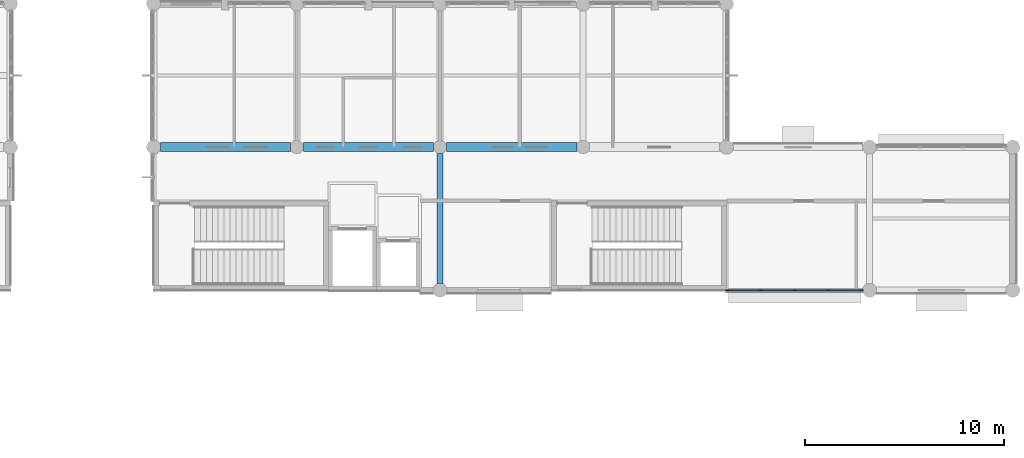
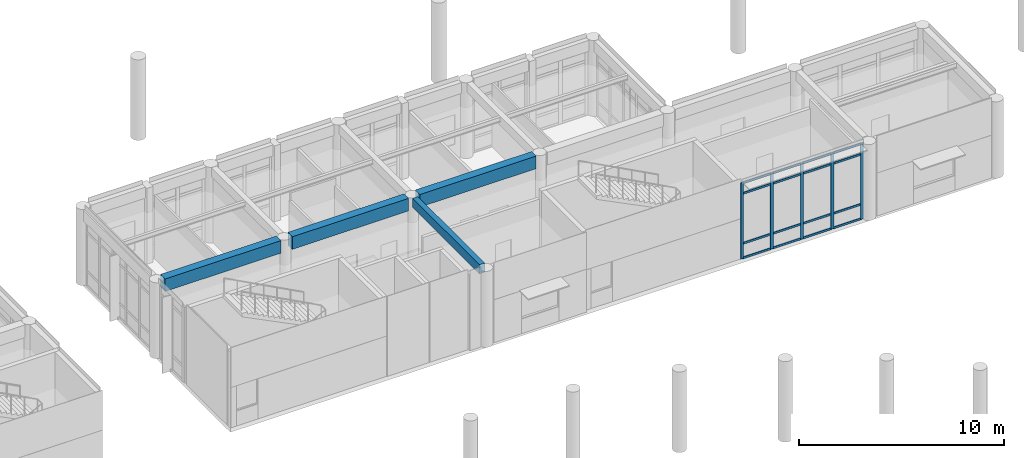
# One storey, part 24 of 92: 21 members, 4 beams, 1 element without a shape of its own.
"""IFC4 building model written with IfcOpenShell, lengths in metres."""

from ifc_helpers import new_model, si_unit, direction, frame, origin, origin_2d, place, context, subcontext, project, spatial, rectangle, extrude, material, layer, layer_set, material_profile, profile_set, type_object, element, aggregate, save


model = new_model("IFC4")

# Units and contexts
model_context = context("Model", 3, precision=1e-05, world=origin(), true_north=direction((0.0, 1.0)))
body_context = subcontext(model_context, "Body", "Model", "MODEL_VIEW")
ifc_project = project(units=[si_unit("LENGTHUNIT", "METRE"), si_unit("AREAUNIT", "SQUARE_METRE"), si_unit("VOLUMEUNIT", "CUBIC_METRE"), si_unit("PLANEANGLEUNIT", "RADIAN"), si_unit("MASSUNIT", "GRAM", prefix="KILO")], contexts=[model_context])

# Site, building, storey
site_placement = place(None, origin())
site = spatial("IfcSite", under=ifc_project, at=site_placement, CompositionType="ELEMENT")
building_placement = place(site_placement, origin())
building = spatial("IfcBuilding", under=site, at=building_placement, Name="Namkhue Oval Health Centre", CompositionType="ELEMENT")
storey_placement = place(building_placement, frame((0.0, 0.0, 4.800048828125)))
storey = spatial("IfcBuildingStorey", under=building, at=storey_placement, Name="L01", CompositionType="ELEMENT", Elevation=4.800048828125)

# Curtain wall, members
ifc_material_1 = material(Name="Anodised aluminium EN AW-6063 T6", Category="aluminium")
ifc_layer = layer(ifc_material_1, 0.159912109375)
ifc_layer_set = layer_set([ifc_layer], Name="Anodised aluminium EN AW-6063 T6")
curtain_wall_type = type_object("IfcCurtainWallType", Name="UNITISED CURTAIN WALL M1800", PredefinedType="NOTDEFINED", material=ifc_layer_set)
curtain_wall_placement = place(storey_placement, origin())
curtain_wall = element("IfcCurtainWall", 1, at=curtain_wall_placement, inside=storey, type_object=curtain_wall_type, Name="Volume V3 L01 Unitised Curtain Wall 101", PredefinedType="NOTDEFINED")
ifc_material_profile_1 = material_profile(ifc_material_1, rectangle(XDim=0.06494140625, YDim=0.159912109375, at=origin_2d()), Name="ALU 65x160")
ifc_profile_set_1 = profile_set([ifc_material_profile_1], Name="Anodised aluminium EN AW-6063 T6")
member_type_1 = type_object("IfcMemberType", Name="CURTAIN WALL MULLION 65X160", PredefinedType="MULLION", material=ifc_profile_set_1)
member_1_placement = place(storey_placement, frame((122.449462890625, 90.0, 0.0), z_axis=(0.0, 0.0, 1.0), x_axis=(0.0, 1.0, 0.0)))
member_1 = element("IfcMember", 2, at=member_1_placement, type_object=member_type_1, Name="CW-05 mullion 1", PredefinedType="MULLION", context=body_context, shape_type="SweptSolid", body=[
    extrude(rectangle(XDim=0.06494140625, YDim=0.159912109375, at=origin_2d()), origin(), (0.0, 0.0, 1.0), 4.530029296875),
])
member_2_placement = place(storey_placement, frame((124.122802734375, 90.0, 0.0), z_axis=(0.0, 0.0, 1.0), x_axis=(0.0, 1.0, 0.0)))
member_2 = element("IfcMember", 3, at=member_2_placement, type_object=member_type_1, Name="CW-05 mullion 2", PredefinedType="MULLION", context=body_context, shape_type="SweptSolid", body=[
    extrude(rectangle(XDim=0.06494140625, YDim=0.159912109375, at=origin_2d()), origin(), (0.0, 0.0, 1.0), 4.530029296875),
])
member_3_placement = place(storey_placement, frame((125.82861328125, 90.0, 0.0), z_axis=(0.0, 0.0, 1.0), x_axis=(0.0, 1.0, 0.0)))
member_3 = element("IfcMember", 4, at=member_3_placement, type_object=member_type_1, Name="CW-05 mullion 3", PredefinedType="MULLION", context=body_context, shape_type="SweptSolid", body=[
    extrude(rectangle(XDim=0.06494140625, YDim=0.159912109375, at=origin_2d()), origin(), (0.0, 0.0, 1.0), 4.530029296875),
])
member_4_placement = place(storey_placement, frame((127.5341796875, 90.0, 0.0), z_axis=(0.0, 0.0, 1.0), x_axis=(0.0, 1.0, 0.0)))
member_4 = element("IfcMember", 5, at=member_4_placement, type_object=member_type_1, Name="CW-05 mullion 4", PredefinedType="MULLION", context=body_context, shape_type="SweptSolid", body=[
    extrude(rectangle(XDim=0.06494140625, YDim=0.159912109375, at=origin_2d()), origin(), (0.0, 0.0, 1.0), 4.530029296875),
])
member_5_placement = place(storey_placement, frame((129.20751953125, 90.0, 0.0), z_axis=(0.0, 0.0, 1.0), x_axis=(0.0, 1.0, 0.0)))
member_5 = element("IfcMember", 6, at=member_5_placement, type_object=member_type_1, Name="CW-05 mullion 5", PredefinedType="MULLION", context=body_context, shape_type="SweptSolid", body=[
    extrude(rectangle(XDim=0.06494140625, YDim=0.159912109375, at=origin_2d()), origin(), (0.0, 0.0, 1.0), 4.530029296875),
])
ifc_material_profile_2 = material_profile(ifc_material_1, rectangle(XDim=0.06494140625, YDim=0.1201171875, at=origin_2d()), Name="ALU 65x120")
ifc_profile_set_2 = profile_set([ifc_material_profile_2], Name="Anodised aluminium EN AW-6063 T6")
member_type_2 = type_object("IfcMemberType", Name="CURTAIN WALL TRANSOM 65X120", PredefinedType="USERDEFINED", material=ifc_profile_set_2)
member_6_placement = place(storey_placement, frame((122.48193359375, 90.0, 0.032470703125), z_axis=(1.0, 0.0, 0.0), x_axis=(0.0, 1.0, 0.0)))
member_6 = element("IfcMember", 7, at=member_6_placement, type_object=member_type_2, Name="CW-05 transom 1.1", ObjectType="TRANSOM", PredefinedType="USERDEFINED", context=body_context, shape_type="SweptSolid", body=[
    extrude(rectangle(XDim=0.06494140625, YDim=0.1201171875, at=origin_2d()), origin(), (0.0, 0.0, 1.0), 1.6083984375),
])
member_7_placement = place(storey_placement, frame((122.48193359375, 90.0, 0.89990234375), z_axis=(1.0, 0.0, 0.0), x_axis=(0.0, 1.0, 0.0)))
member_7 = element("IfcMember", 8, at=member_7_placement, type_object=member_type_2, Name="CW-05 transom 1.2", ObjectType="TRANSOM", PredefinedType="USERDEFINED", context=body_context, shape_type="SweptSolid", body=[
    extrude(rectangle(XDim=0.06494140625, YDim=0.1201171875, at=origin_2d()), origin(), (0.0, 0.0, 1.0), 1.6083984375),
])
member_8_placement = place(storey_placement, frame((122.48193359375, 90.0, 3.8798828125), z_axis=(1.0, 0.0, 0.0), x_axis=(0.0, 1.0, 0.0)))
member_8 = element("IfcMember", 9, at=member_8_placement, type_object=member_type_2, Name="CW-05 transom 1.3", ObjectType="TRANSOM", PredefinedType="USERDEFINED", context=body_context, shape_type="SweptSolid", body=[
    extrude(rectangle(XDim=0.06494140625, YDim=0.1201171875, at=origin_2d()), origin(), (0.0, 0.0, 1.0), 1.6083984375),
])
member_9_placement = place(storey_placement, frame((122.48193359375, 90.0, 4.49755859375), z_axis=(1.0, 0.0, 0.0), x_axis=(0.0, 1.0, 0.0)))
member_9 = element("IfcMember", 10, at=member_9_placement, type_object=member_type_2, Name="CW-05 transom 1.4", ObjectType="TRANSOM", PredefinedType="USERDEFINED", context=body_context, shape_type="SweptSolid", body=[
    extrude(rectangle(XDim=0.06494140625, YDim=0.1201171875, at=origin_2d()), origin(), (0.0, 0.0, 1.0), 1.6083984375),
])
member_10_placement = place(storey_placement, frame((124.1552734375, 90.0, 0.032470703125), z_axis=(1.0, 0.0, 0.0), x_axis=(0.0, 1.0, 0.0)))
member_10 = element("IfcMember", 11, at=member_10_placement, type_object=member_type_2, Name="CW-05 transom 2.1", ObjectType="TRANSOM", PredefinedType="USERDEFINED", context=body_context, shape_type="SweptSolid", body=[
    extrude(rectangle(XDim=0.06494140625, YDim=0.1201171875, at=origin_2d()), origin(), (0.0, 0.0, 1.0), 1.640625),
])
member_11_placement = place(storey_placement, frame((124.1552734375, 90.0, 0.89990234375), z_axis=(1.0, 0.0, 0.0), x_axis=(0.0, 1.0, 0.0)))
member_11 = element("IfcMember", 12, at=member_11_placement, type_object=member_type_2, Name="CW-05 transom 2.2", ObjectType="TRANSOM", PredefinedType="USERDEFINED", context=body_context, shape_type="SweptSolid", body=[
    extrude(rectangle(XDim=0.06494140625, YDim=0.1201171875, at=origin_2d()), origin(), (0.0, 0.0, 1.0), 1.640625),
])
member_12_placement = place(storey_placement, frame((124.1552734375, 90.0, 3.8798828125), z_axis=(1.0, 0.0, 0.0), x_axis=(0.0, 1.0, 0.0)))
member_12 = element("IfcMember", 13, at=member_12_placement, type_object=member_type_2, Name="CW-05 transom 2.3", ObjectType="TRANSOM", PredefinedType="USERDEFINED", context=body_context, shape_type="SweptSolid", body=[
    extrude(rectangle(XDim=0.06494140625, YDim=0.1201171875, at=origin_2d()), origin(), (0.0, 0.0, 1.0), 1.640625),
])
member_13_placement = place(storey_placement, frame((124.1552734375, 90.0, 4.49755859375), z_axis=(1.0, 0.0, 0.0), x_axis=(0.0, 1.0, 0.0)))
member_13 = element("IfcMember", 14, at=member_13_placement, type_object=member_type_2, Name="CW-05 transom 2.4", ObjectType="TRANSOM", PredefinedType="USERDEFINED", context=body_context, shape_type="SweptSolid", body=[
    extrude(rectangle(XDim=0.06494140625, YDim=0.1201171875, at=origin_2d()), origin(), (0.0, 0.0, 1.0), 1.640625),
])
member_14_placement = place(storey_placement, frame((125.861083984375, 90.0, 0.032470703125), z_axis=(1.0, 0.0, 0.0), x_axis=(0.0, 1.0, 0.0)))
member_14 = element("IfcMember", 15, at=member_14_placement, type_object=member_type_2, Name="CW-05 transom 3.1", ObjectType="TRANSOM", PredefinedType="USERDEFINED", context=body_context, shape_type="SweptSolid", body=[
    extrude(rectangle(XDim=0.06494140625, YDim=0.1201171875, at=origin_2d()), origin(), (0.0, 0.0, 1.0), 1.640625),
])
member_15_placement = place(storey_placement, frame((125.861083984375, 90.0, 0.89990234375), z_axis=(1.0, 0.0, 0.0), x_axis=(0.0, 1.0, 0.0)))
member_15 = element("IfcMember", 16, at=member_15_placement, type_object=member_type_2, Name="CW-05 transom 3.2", ObjectType="TRANSOM", PredefinedType="USERDEFINED", context=body_context, shape_type="SweptSolid", body=[
    extrude(rectangle(XDim=0.06494140625, YDim=0.1201171875, at=origin_2d()), origin(), (0.0, 0.0, 1.0), 1.640625),
])
member_16_placement = place(storey_placement, frame((125.861083984375, 90.0, 3.8798828125), z_axis=(1.0, 0.0, 0.0), x_axis=(0.0, 1.0, 0.0)))
member_16 = element("IfcMember", 17, at=member_16_placement, type_object=member_type_2, Name="CW-05 transom 3.3", ObjectType="TRANSOM", PredefinedType="USERDEFINED", context=body_context, shape_type="SweptSolid", body=[
    extrude(rectangle(XDim=0.06494140625, YDim=0.1201171875, at=origin_2d()), origin(), (0.0, 0.0, 1.0), 1.640625),
])
member_17_placement = place(storey_placement, frame((125.861083984375, 90.0, 4.49755859375), z_axis=(1.0, 0.0, 0.0), x_axis=(0.0, 1.0, 0.0)))
member_17 = element("IfcMember", 18, at=member_17_placement, type_object=member_type_2, Name="CW-05 transom 3.4", ObjectType="TRANSOM", PredefinedType="USERDEFINED", context=body_context, shape_type="SweptSolid", body=[
    extrude(rectangle(XDim=0.06494140625, YDim=0.1201171875, at=origin_2d()), origin(), (0.0, 0.0, 1.0), 1.640625),
])
member_18_placement = place(storey_placement, frame((127.566650390625, 90.0, 0.032470703125), z_axis=(1.0, 0.0, 0.0), x_axis=(0.0, 1.0, 0.0)))
member_18 = element("IfcMember", 19, at=member_18_placement, type_object=member_type_2, Name="CW-05 transom 4.1", ObjectType="TRANSOM", PredefinedType="USERDEFINED", context=body_context, shape_type="SweptSolid", body=[
    extrude(rectangle(XDim=0.06494140625, YDim=0.1201171875, at=origin_2d()), origin(), (0.0, 0.0, 1.0), 1.6083984375),
])
member_19_placement = place(storey_placement, frame((127.566650390625, 90.0, 0.89990234375), z_axis=(1.0, 0.0, 0.0), x_axis=(0.0, 1.0, 0.0)))
member_19 = element("IfcMember", 20, at=member_19_placement, type_object=member_type_2, Name="CW-05 transom 4.2", ObjectType="TRANSOM", PredefinedType="USERDEFINED", context=body_context, shape_type="SweptSolid", body=[
    extrude(rectangle(XDim=0.06494140625, YDim=0.1201171875, at=origin_2d()), origin(), (0.0, 0.0, 1.0), 1.6083984375),
])
member_20_placement = place(storey_placement, frame((127.566650390625, 90.0, 3.8798828125), z_axis=(1.0, 0.0, 0.0), x_axis=(0.0, 1.0, 0.0)))
member_20 = element("IfcMember", 21, at=member_20_placement, type_object=member_type_2, Name="CW-05 transom 4.3", ObjectType="TRANSOM", PredefinedType="USERDEFINED", context=body_context, shape_type="SweptSolid", body=[
    extrude(rectangle(XDim=0.06494140625, YDim=0.1201171875, at=origin_2d()), origin(), (0.0, 0.0, 1.0), 1.6083984375),
])
member_21_placement = place(storey_placement, frame((127.566650390625, 90.0, 4.49755859375), z_axis=(1.0, 0.0, 0.0), x_axis=(0.0, 1.0, 0.0)))
member_21 = element("IfcMember", 22, at=member_21_placement, type_object=member_type_2, Name="CW-05 transom 4.4", ObjectType="TRANSOM", PredefinedType="USERDEFINED", context=body_context, shape_type="SweptSolid", body=[
    extrude(rectangle(XDim=0.06494140625, YDim=0.1201171875, at=origin_2d()), origin(), (0.0, 0.0, 1.0), 1.6083984375),
])
aggregate(curtain_wall, [member_1, member_2, member_3, member_4, member_5, member_6, member_7, member_8, member_9, member_10, member_11, member_12, member_13, member_14, member_15, member_16, member_17, member_18, member_19, member_20, member_21])

# Beams
ifc_material_2 = material(Name="Reinforced concrete C30/37 (TCVN B35)", Category="concrete")
ifc_material_profile_3 = material_profile(ifc_material_2, rectangle(XDim=0.300048828125, YDim=0.550048828125, at=origin_2d()), Name="RC 300x550")
ifc_profile_set_3 = profile_set([ifc_material_profile_3], Name="Reinforced concrete C30/37 (TCVN B35)")
beam_type_1 = type_object("IfcBeamType", Name="FLOOR BEAM RC 300X550", PredefinedType="BEAM", material=ifc_profile_set_3)
beam_1_placement = place(storey_placement, frame((108.0, 90.35009765625, 4.2548828125), z_axis=(0.0, 1.0, 0.0), x_axis=(-1.0, 0.0, 0.0)))
element("IfcBeam", 23, at=beam_1_placement, inside=storey, type_object=beam_type_1, Name="Volume V3 L02 Beam 16/N-O", PredefinedType="BEAM", context=body_context, shape_type="SweptSolid", body=[
    extrude(rectangle(XDim=0.300048828125, YDim=0.550048828125, at=origin_2d()), origin(), (0.0, 0.0, 1.0), 6.52490234375),
])
ifc_material_3 = material(Name="Reinforced concrete C35/45 (TCVN B40)", Category="concrete")
ifc_material_profile_4 = material_profile(ifc_material_3, rectangle(XDim=0.449951171875, YDim=0.75, at=origin_2d()), Name="RC 450x750")
ifc_profile_set_4 = profile_set([ifc_material_profile_4], Name="Reinforced concrete C35/45 (TCVN B40)")
beam_type_2 = type_object("IfcBeamType", Name="PRIMARY GIRDER RC 450X750", PredefinedType="USERDEFINED", material=ifc_profile_set_4)
beam_2_placement = place(storey_placement, frame((93.949951171875, 97.199951171875, 4.155029296875), z_axis=(1.0, 0.0, 0.0), x_axis=(0.0, 1.0, 0.0)))
element("IfcBeam", 24, at=beam_2_placement, inside=storey, type_object=beam_type_2, Name="Volume V3 L02 Girder O/14-15", ObjectType="GIRDER", PredefinedType="USERDEFINED", context=body_context, shape_type="SweptSolid", body=[
    extrude(rectangle(XDim=0.449951171875, YDim=0.75, at=origin_2d()), origin(), (0.0, 0.0, 1.0), 6.525146484375),
])
for number, where, z_axis, x_axis, name in (
    (25, (101.125, 97.199951171875, 4.155029296875), (1.0, 0.0, 0.0), (0.0, 1.0, 0.0), "Volume V3 L02 Girder O/15-16"),
    (26, (108.324951171875, 97.199951171875, 4.155029296875), (1.0, 0.0, 0.0), (0.0, 1.0, 0.0), "Volume V3 L02 Girder O/16-17"),
):
    element("IfcBeam", number, at=place(storey_placement, frame(where, z_axis=z_axis, x_axis=x_axis)), inside=storey, type_object=beam_type_2, Name=name, ObjectType="GIRDER", PredefinedType="USERDEFINED", context=body_context, shape_type="SweptSolid", body=[
        extrude(rectangle(XDim=0.449951171875, YDim=0.75, at=origin_2d()), origin(), (0.0, 0.0, 1.0), 6.550048828125),
    ])

save(model, "model.ifc")
